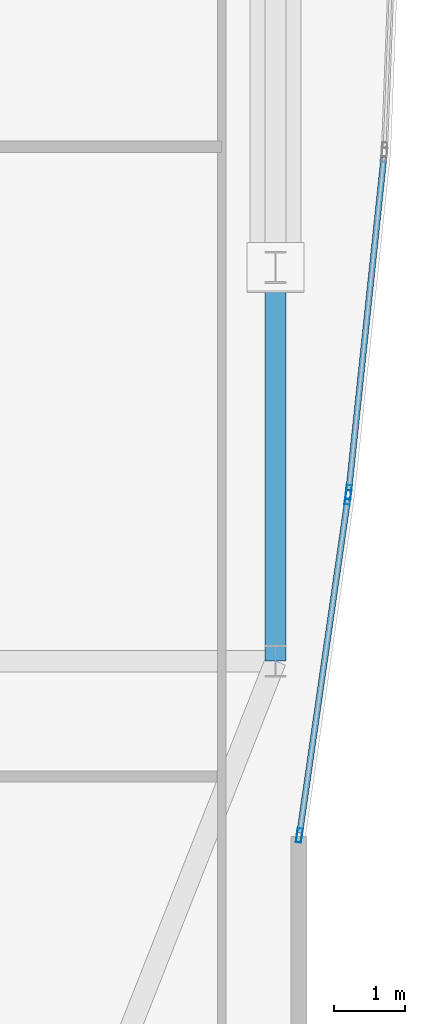
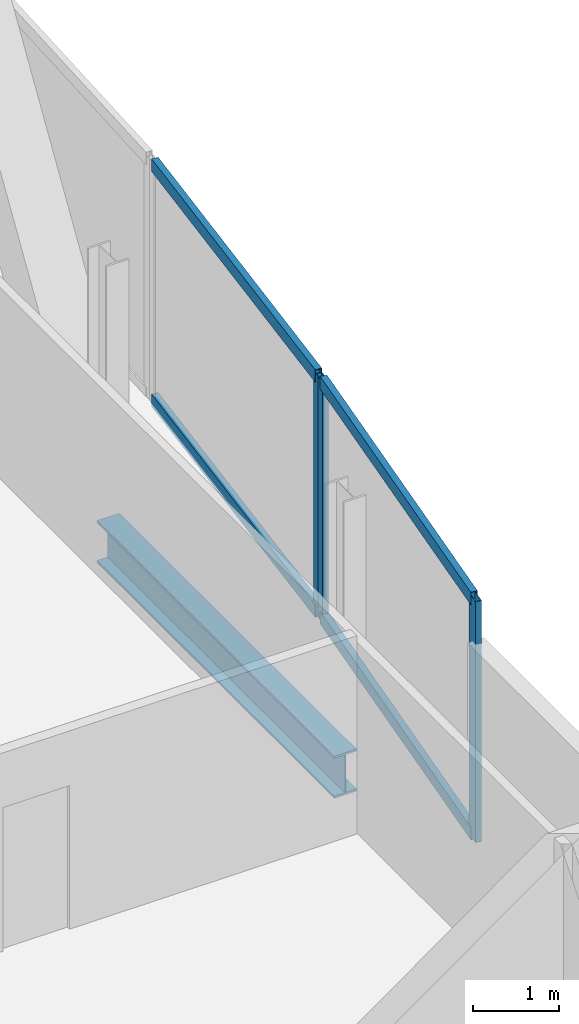
# One storey, part 17 of 32: 7 members, 1 beam, 2 elements without a shape of their own.
"""IFC4 building model written with IfcOpenShell, lengths in metres."""

from ifc_helpers import new_model, si_unit, direction, frame, origin, origin_2d, place, context, subcontext, project, spatial, hollow_rectangle, i_section, extrude, material, material_profile, profile_set, type_object, element, aggregate, save


model = new_model("IFC4")

# Units and contexts
model_context = context("Model", 3, precision=1e-05, world=origin(), true_north=direction((0.0, 1.0)))
body_context = subcontext(model_context, "Body", "Model", "MODEL_VIEW")
ifc_project = project(units=[si_unit("LENGTHUNIT", "METRE"), si_unit("AREAUNIT", "SQUARE_METRE"), si_unit("VOLUMEUNIT", "CUBIC_METRE"), si_unit("PLANEANGLEUNIT", "RADIAN"), si_unit("MASSUNIT", "GRAM", prefix="KILO")], contexts=[model_context])

# Site, building, storey
site_placement = place(None, origin())
site = spatial("IfcSite", under=ifc_project, at=site_placement, CompositionType="ELEMENT")
building_placement = place(site_placement, origin())
building = spatial("IfcBuilding", under=site, at=building_placement, Name="Khoronbel Lancet Exchange", CompositionType="ELEMENT")
storey_placement = place(building_placement, frame((0.0, 0.0, 199.39990234375)))
storey = spatial("IfcBuildingStorey", under=building, at=storey_placement, Name="L50", CompositionType="ELEMENT", Elevation=199.39990234375)

# Beam
ifc_material_1 = material(Name="Steel S355", Category="steel")
ifc_material_profile_1 = material_profile(ifc_material_1, i_section(OverallWidth=0.300048828125, OverallDepth=0.60009765625, WebThickness=0.015380859375, FlangeThickness=0.030029296875, at=origin_2d()), Name="HEB 600")
ifc_profile_set_1 = profile_set([ifc_material_profile_1], Name="Steel S355")
beam_type = type_object("IfcBeamType", Name="BM-BSP2", PredefinedType="SPANDREL", material=ifc_profile_set_1)
beam_placement = place(storey_placement, frame((65.6298828125, 19.199951171875, -0.4599609375), z_axis=(0.0, 1.0, 0.0), x_axis=(-1.0, 0.0, 0.0)))
element("IfcBeam", 1, at=beam_placement, inside=storey, type_object=beam_type, Name="Level L50 perimeter spandrel beam SP11", PredefinedType="SPANDREL", context=body_context, shape_type="SweptSolid", body=[
    extrude(i_section(OverallWidth=0.300048828125, OverallDepth=0.60009765625, WebThickness=0.015380859375, FlangeThickness=0.030029296875, at=origin_2d()), origin(), (0.0, 0.0, 1.0), 5.550048828125),
])

# Curtain wall, member
ifc_material_2 = material(Name="Low-E Solar Control Insulating Glass", Category="glass")
curtain_wall_type = type_object("IfcCurtainWallType", Name="CW-4", PredefinedType="NOTDEFINED", material=ifc_material_2)
curtain_wall_1_placement = place(storey_placement, origin())
curtain_wall_1 = element("IfcCurtainWall", 2, at=curtain_wall_1_placement, inside=storey, type_object=curtain_wall_type, Name="Unitised curtain wall CW-L50-E21", PredefinedType="NOTDEFINED")
ifc_material_3 = material(Name="Bronze-Anodised Aluminium 6063-T6", Category="aluminium")
ifc_material_profile_2 = material_profile(ifc_material_3, hollow_rectangle(XDim=0.074951171875, YDim=0.199951171875, WallThickness=0.0048828125, at=origin_2d()), Name="ALU MULLION 75x200")
ifc_profile_set_2 = profile_set([ifc_material_profile_2], Name="Bronze-Anodised Aluminium 6063-T6")
member_type_1 = type_object("IfcMemberType", Name="MEM-CWM2", PredefinedType="MULLION", material=ifc_profile_set_2)
member_1_placement = place(storey_placement, frame((66.659423828125, 21.581787109375, 0.0), z_axis=(0.0, 0.0, 1.0), x_axis=(0.994505340069, -0.104685856606, 0.0)))
member_1 = element("IfcMember", 3, at=member_1_placement, type_object=member_type_1, Name="CW4 mullion 2", PredefinedType="MULLION", context=body_context, shape_type="SweptSolid", body=[
    extrude(hollow_rectangle(XDim=0.074951171875, YDim=0.199951171875, WallThickness=0.0048828125, at=origin_2d()), origin(), (0.0, 0.0, 1.0), 3.440185546875),
])

# Curtain wall, members
curtain_wall_2_placement = place(storey_placement, origin())
curtain_wall_2 = element("IfcCurtainWall", 4, at=curtain_wall_2_placement, inside=storey, type_object=curtain_wall_type, Name="Unitised curtain wall CW-L50-E22", PredefinedType="NOTDEFINED")
member_2_placement = place(storey_placement, frame((66.650146484375, 21.50732421875, 0.0), z_axis=(0.0, 0.0, 1.0), x_axis=(0.989821424195, -0.142314961279, 0.0)))
member_2 = element("IfcMember", 5, at=member_2_placement, type_object=member_type_1, Name="CW4 mullion 1", PredefinedType="MULLION", context=body_context, shape_type="SweptSolid", body=[
    extrude(hollow_rectangle(XDim=0.074951171875, YDim=0.199951171875, WallThickness=0.0048828125, at=origin_2d()), origin(), (0.0, 0.0, 1.0), 3.440185546875),
])
member_3_placement = place(storey_placement, frame((65.96533203125, 16.743408203125, 0.0), z_axis=(0.0, 0.0, 1.0), x_axis=(0.989821424195, -0.142314961279, 0.0)))
member_3 = element("IfcMember", 6, at=member_3_placement, type_object=member_type_1, Name="CW4 mullion 2", PredefinedType="MULLION", context=body_context, shape_type="SweptSolid", body=[
    extrude(hollow_rectangle(XDim=0.074951171875, YDim=0.199951171875, WallThickness=0.0048828125, at=origin_2d()), origin(), (0.0, 0.0, 1.0), 3.440185546875),
])

# Member
ifc_material_profile_3 = material_profile(ifc_material_3, hollow_rectangle(XDim=0.0849609375, YDim=0.179931640625, WallThickness=0.0048828125, at=origin_2d()), Name="ALU TRANSOM 85x180")
ifc_profile_set_3 = profile_set([ifc_material_profile_3], Name="Bronze-Anodised Aluminium 6063-T6")
member_type_2 = type_object("IfcMemberType", Name="MEM-CWT1", PredefinedType="USERDEFINED", material=ifc_profile_set_3)
member_4_placement = place(storey_placement, frame((67.156005859375, 26.298583984375, 0.04248046875), z_axis=(-0.104700989227, -0.994503747029, 0.0), x_axis=(0.994503747029, -0.104700989227, 0.0)))
member_4 = element("IfcMember", 7, at=member_4_placement, type_object=member_type_2, Name="CW4 transom 1.1", ObjectType="TRANSOM", PredefinedType="USERDEFINED", context=body_context, shape_type="SweptSolid", body=[
    extrude(hollow_rectangle(XDim=0.0849609375, YDim=0.179931640625, WallThickness=0.0048828125, at=origin_2d()), origin(), (0.0, 0.0, 1.0), 4.70556640625),
])

member_5_placement = place(storey_placement, frame((67.156005859375, 26.298583984375, 3.397705078125), z_axis=(-0.104700989227, -0.994503747029, 0.0), x_axis=(0.994503747029, -0.104700989227, 0.0)))
member_5 = element("IfcMember", 8, at=member_5_placement, type_object=member_type_2, Name="CW4 transom 1.2", ObjectType="TRANSOM", PredefinedType="USERDEFINED", context=body_context, shape_type="SweptSolid", body=[
    extrude(hollow_rectangle(XDim=0.0849609375, YDim=0.179931640625, WallThickness=0.0048828125, at=origin_2d()), origin(), (0.0, 0.0, 1.0), 4.70556640625),
])

aggregate(curtain_wall_1, [member_1, member_4, member_5])

member_6_placement = place(storey_placement, frame((66.64501953125, 21.47021484375, 0.04248046875), z_axis=(-0.142323054791, -0.989820260489, 0.0), x_axis=(0.989820260489, -0.142323054791, 0.0)))
member_6 = element("IfcMember", 9, at=member_6_placement, type_object=member_type_2, Name="CW4 transom 1.1", ObjectType="TRANSOM", PredefinedType="USERDEFINED", context=body_context, shape_type="SweptSolid", body=[
    extrude(hollow_rectangle(XDim=0.0849609375, YDim=0.179931640625, WallThickness=0.0048828125, at=origin_2d()), origin(), (0.0, 0.0, 1.0), 4.738037109375),
])

member_7_placement = place(storey_placement, frame((66.64501953125, 21.47021484375, 3.397705078125), z_axis=(-0.142323054791, -0.989820260489, 0.0), x_axis=(0.989820260489, -0.142323054791, 0.0)))
member_7 = element("IfcMember", 10, at=member_7_placement, type_object=member_type_2, Name="CW4 transom 1.2", ObjectType="TRANSOM", PredefinedType="USERDEFINED", context=body_context, shape_type="SweptSolid", body=[
    extrude(hollow_rectangle(XDim=0.0849609375, YDim=0.179931640625, WallThickness=0.0048828125, at=origin_2d()), origin(), (0.0, 0.0, 1.0), 4.738037109375),
])

aggregate(curtain_wall_2, [member_2, member_3, member_6, member_7])

save(model, "model.ifc")
